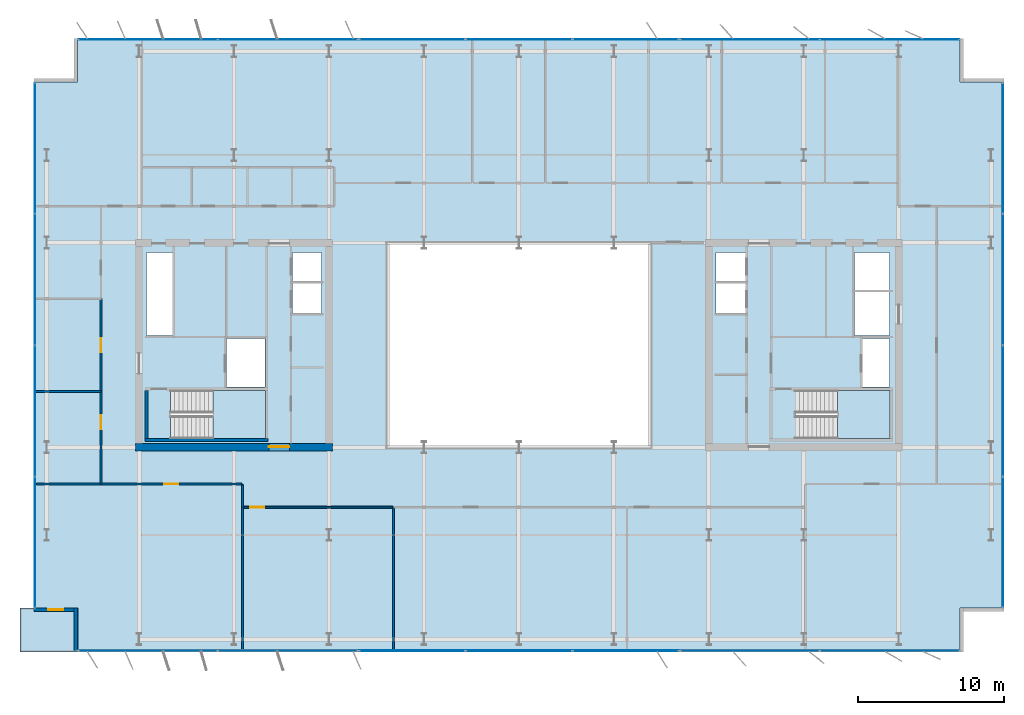
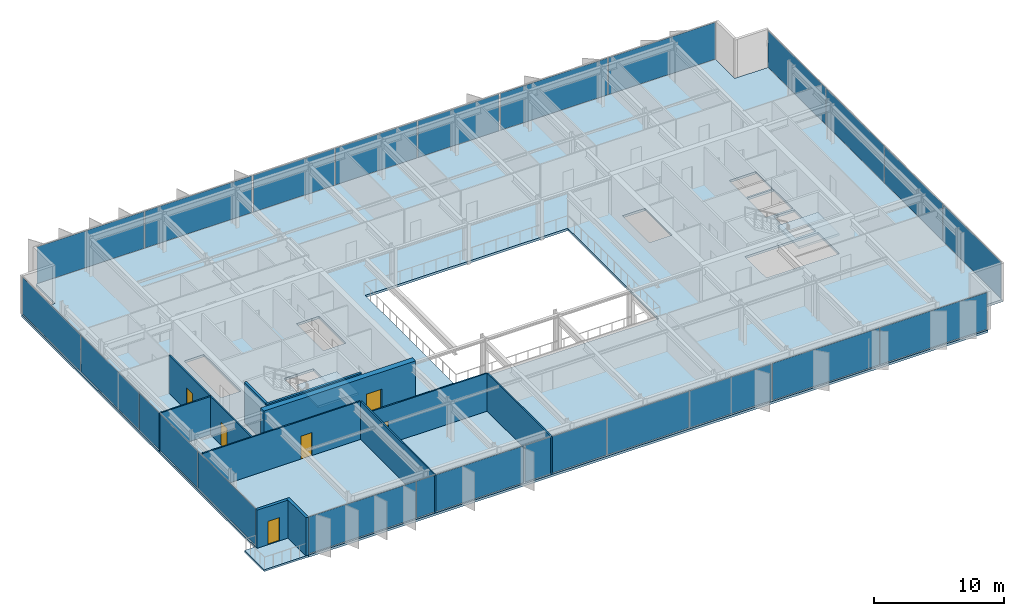
# One storey, part 16 of 23: 22 plates, 12 walls, 6 doors, 4 slabs, 6 openings, 10 elements without a shape of their own.
"""IFC4 building model written with IfcOpenShell, lengths in metres."""

from ifc_helpers import new_model, si_unit, direction, frame, frame_2d, origin, origin_2d, place, context, subcontext, project, spatial, polyline, rectangle, outline, extrude, material, layer, layer_set, type_object, element, fill, aggregate, save


model = new_model("IFC4")

# Units and contexts
model_context = context("Model", 3, precision=1e-05, world=origin(), true_north=direction((0.0, 1.0)))
body_context = subcontext(model_context, "Body", "Model", "MODEL_VIEW")
ifc_project = project(units=[si_unit("LENGTHUNIT", "METRE"), si_unit("AREAUNIT", "SQUARE_METRE"), si_unit("VOLUMEUNIT", "CUBIC_METRE"), si_unit("PLANEANGLEUNIT", "RADIAN"), si_unit("MASSUNIT", "GRAM", prefix="KILO")], contexts=[model_context])

# Site, building, storey
site_placement = place(None, origin())
site = spatial("IfcSite", under=ifc_project, at=site_placement, CompositionType="ELEMENT")
building_placement = place(site_placement, origin())
building = spatial("IfcBuilding", under=site, at=building_placement, Name="Putna Gate Headquarters", CompositionType="ELEMENT")
storey_placement = place(building_placement, frame((0.0, 0.0, 225.199951171875)))
storey = spatial("IfcBuildingStorey", under=building, at=storey_placement, Name="L56", CompositionType="ELEMENT", Elevation=225.199951171875)

# Stair, slab
ifc_material_1 = material(Name="Concrete C40/50", Category="concrete")
stair_type_1 = type_object("IfcStairType", Name="STAIR-ST1", PredefinedType="HALF_TURN_STAIR", material=ifc_material_1)
stair_1_placement = place(storey_placement, origin())
stair_1 = element("IfcStair", 1, at=stair_1_placement, inside=storey, type_object=stair_type_1, Name="L56 West Core Exit Stair ST1", PredefinedType="HALF_TURN_STAIR")
ifc_layer_1 = layer(ifc_material_1, 0.199951171875)
ifc_layer_set_1 = layer_set([ifc_layer_1], Name="Concrete C40/50")
slab_type_1 = type_object("IfcSlabType", Name="LANDING-ST1", PredefinedType="LANDING", material=ifc_layer_set_1)
slab_1_placement = place(storey_placement, frame((0.0, 0.0, 1.699951171875)))
slab_1 = element("IfcSlab", 2, at=slab_1_placement, type_object=slab_type_1, Name="ST1 landing 1", PredefinedType="LANDING", context=body_context, shape_type="SweptSolid", body=[
    extrude(outline(polyline([(18.050048828125, 19.60009765625), (21.64990234375, 19.60009765625), (21.64990234375, 22.89990234375), (18.050048828125, 22.89990234375), (18.050048828125, 19.60009765625)])), origin(), (0.0, 0.0, 1.0), 0.2001953125),
])
aggregate(stair_1, [slab_1])

stair_type_2 = type_object("IfcStairType", Name="STAIR-ST2", PredefinedType="HALF_TURN_STAIR", material=ifc_material_1)
stair_2_placement = place(storey_placement, origin())
stair_2 = element("IfcStair", 3, at=stair_2_placement, inside=storey, type_object=stair_type_2, Name="L56 East Core Exit Stair ST2", PredefinedType="HALF_TURN_STAIR")
ifc_layer_2 = layer(ifc_material_1, 0.199951171875)
ifc_layer_set_2 = layer_set([ifc_layer_2], Name="Concrete C40/50")
slab_type_2 = type_object("IfcSlabType", Name="LANDING-ST2", PredefinedType="LANDING", material=ifc_layer_set_2)
slab_2_placement = place(storey_placement, frame((0.0, 0.0, 1.699951171875)))
slab_2 = element("IfcSlab", 4, at=slab_2_placement, type_object=slab_type_2, Name="ST2 landing 1", PredefinedType="LANDING", context=body_context, shape_type="SweptSolid", body=[
    extrude(outline(polyline([(60.800048828125, 19.60009765625), (64.39990234375, 19.60009765625), (64.39990234375, 22.89990234375), (60.800048828125, 22.89990234375), (60.800048828125, 19.60009765625)])), origin(), (0.0, 0.0, 1.0), 0.2001953125),
])
aggregate(stair_2, [slab_2])

# Curtain wall, plates
ifc_material_2 = material(Name="Anodised bronze aluminium curtain wall", Category="aluminium")
ifc_layer_3 = layer(ifc_material_2, 0.139892578125)
ifc_layer_set_3 = layer_set([ifc_layer_3], Name="Anodised bronze aluminium curtain wall")
curtain_wall_type_1 = type_object("IfcCurtainWallType", Name="CW-SYS-Z4", PredefinedType="USERDEFINED", material=ifc_layer_set_3)
curtain_wall_1_placement = place(storey_placement, origin())
curtain_wall_1 = element("IfcCurtainWall", 5, at=curtain_wall_1_placement, inside=storey, type_object=curtain_wall_type_1, Name="L56 South West Curtain Wall", ObjectType="STICK CURTAIN WALL", PredefinedType="USERDEFINED")
ifc_material_3 = material(Name="Solar-control triple low-E glass", Category="glass")
ifc_layer_4 = layer(ifc_material_3, 0.02587890625)
ifc_layer_set_4 = layer_set([ifc_layer_4], Name="Solar-control triple low-E glass")
plate_type_1 = type_object("IfcPlateType", Name="PAN-CWP-4", PredefinedType="CURTAIN_PANEL", material=ifc_layer_set_4)
plate_1_placement = place(storey_placement, frame((13.614990234375, 5.080078125, 0.06005859375), z_axis=(0.0, 0.0, 1.0), x_axis=(1.0, 0.0, 0.0)))
plate_1 = element("IfcPlate", 6, at=plate_1_placement, type_object=plate_type_1, Name="CWS-4 panel 1.1", PredefinedType="CURTAIN_PANEL", context=body_context, shape_type="SweptSolid", body=[
    extrude(rectangle(XDim=9.510009765625, YDim=0.02587890625, at=origin_2d()), origin(), (0.0, 0.0, 1.0), 3.4599609375),
])
plate_2_placement = place(storey_placement, frame((23.18505859375, 5.080078125, 0.06005859375), z_axis=(0.0, 0.0, 1.0), x_axis=(1.0, 0.0, 0.0)))
plate_2 = element("IfcPlate", 7, at=plate_2_placement, type_object=plate_type_1, Name="CWS-4 panel 2.1", PredefinedType="CURTAIN_PANEL", context=body_context, shape_type="SweptSolid", body=[
    extrude(rectangle(XDim=9.510009765625, YDim=0.02587890625, at=origin_2d()), origin(), (0.0, 0.0, 1.0), 3.4599609375),
])
aggregate(curtain_wall_1, [plate_1, plate_2])

curtain_wall_2_placement = place(storey_placement, origin())
curtain_wall_2 = element("IfcCurtainWall", 8, at=curtain_wall_2_placement, inside=storey, type_object=curtain_wall_type_1, Name="L56 South East Curtain Wall", ObjectType="STICK CURTAIN WALL", PredefinedType="USERDEFINED")
plate_3_placement = place(storey_placement, frame((54.81494140625, 5.080078125, 0.06005859375), z_axis=(0.0, 0.0, 1.0), x_axis=(1.0, 0.0, 0.0)))
plate_3 = element("IfcPlate", 9, at=plate_3_placement, type_object=plate_type_1, Name="CWS-4 panel 1.1", PredefinedType="CURTAIN_PANEL", context=body_context, shape_type="SweptSolid", body=[
    extrude(rectangle(XDim=9.510009765625, YDim=0.02587890625, at=origin_2d()), origin(), (0.0, 0.0, 1.0), 3.4599609375),
])
plate_4_placement = place(storey_placement, frame((64.385009765625, 5.080078125, 0.06005859375), z_axis=(0.0, 0.0, 1.0), x_axis=(1.0, 0.0, 0.0)))
plate_4 = element("IfcPlate", 10, at=plate_4_placement, type_object=plate_type_1, Name="CWS-4 panel 2.1", PredefinedType="CURTAIN_PANEL", context=body_context, shape_type="SweptSolid", body=[
    extrude(rectangle(XDim=9.510009765625, YDim=0.02587890625, at=origin_2d()), origin(), (0.0, 0.0, 1.0), 3.4599609375),
])
aggregate(curtain_wall_2, [plate_3, plate_4])

curtain_wall_3_placement = place(storey_placement, origin())
curtain_wall_3 = element("IfcCurtainWall", 11, at=curtain_wall_3_placement, inside=storey, type_object=curtain_wall_type_1, Name="L56 North West Curtain Wall", ObjectType="STICK CURTAIN WALL", PredefinedType="USERDEFINED")
plate_5_placement = place(storey_placement, frame((13.614990234375, 46.919921875, 0.06005859375), z_axis=(0.0, 0.0, 1.0), x_axis=(1.0, 0.0, 0.0)))
plate_5 = element("IfcPlate", 12, at=plate_5_placement, type_object=plate_type_1, Name="CWS-4 panel 1.1", PredefinedType="CURTAIN_PANEL", context=body_context, shape_type="SweptSolid", body=[
    extrude(rectangle(XDim=9.510009765625, YDim=0.02587890625, at=origin_2d()), origin(), (0.0, 0.0, 1.0), 3.4599609375),
])
plate_6_placement = place(storey_placement, frame((23.18505859375, 46.919921875, 0.06005859375), z_axis=(0.0, 0.0, 1.0), x_axis=(1.0, 0.0, 0.0)))
plate_6 = element("IfcPlate", 13, at=plate_6_placement, type_object=plate_type_1, Name="CWS-4 panel 2.1", PredefinedType="CURTAIN_PANEL", context=body_context, shape_type="SweptSolid", body=[
    extrude(rectangle(XDim=9.510009765625, YDim=0.02587890625, at=origin_2d()), origin(), (0.0, 0.0, 1.0), 3.4599609375),
])
aggregate(curtain_wall_3, [plate_5, plate_6])

curtain_wall_4_placement = place(storey_placement, origin())
curtain_wall_4 = element("IfcCurtainWall", 14, at=curtain_wall_4_placement, inside=storey, type_object=curtain_wall_type_1, Name="L56 North East Curtain Wall", ObjectType="STICK CURTAIN WALL", PredefinedType="USERDEFINED")
plate_7_placement = place(storey_placement, frame((54.81494140625, 46.919921875, 0.06005859375), z_axis=(0.0, 0.0, 1.0), x_axis=(1.0, 0.0, 0.0)))
plate_7 = element("IfcPlate", 15, at=plate_7_placement, type_object=plate_type_1, Name="CWS-4 panel 1.1", PredefinedType="CURTAIN_PANEL", context=body_context, shape_type="SweptSolid", body=[
    extrude(rectangle(XDim=9.510009765625, YDim=0.02587890625, at=origin_2d()), origin(), (0.0, 0.0, 1.0), 3.4599609375),
])
plate_8_placement = place(storey_placement, frame((64.385009765625, 46.919921875, 0.06005859375), z_axis=(0.0, 0.0, 1.0), x_axis=(1.0, 0.0, 0.0)))
plate_8 = element("IfcPlate", 16, at=plate_8_placement, type_object=plate_type_1, Name="CWS-4 panel 2.1", PredefinedType="CURTAIN_PANEL", context=body_context, shape_type="SweptSolid", body=[
    extrude(rectangle(XDim=9.510009765625, YDim=0.02587890625, at=origin_2d()), origin(), (0.0, 0.0, 1.0), 3.4599609375),
])
aggregate(curtain_wall_4, [plate_7, plate_8])

curtain_wall_5_placement = place(storey_placement, origin())
curtain_wall_5 = element("IfcCurtainWall", 17, at=curtain_wall_5_placement, inside=storey, type_object=curtain_wall_type_1, Name="L56 West Curtain Wall", ObjectType="STICK CURTAIN WALL", PredefinedType="USERDEFINED")
plate_9_placement = place(storey_placement, frame((5.8798828125, 12.514892578125, 0.06005859375), z_axis=(0.0, 0.0, 1.0), x_axis=(0.0, 1.0, 0.0)))
plate_9 = element("IfcPlate", 18, at=plate_9_placement, type_object=plate_type_1, Name="CWS-4 panel 1.1", PredefinedType="CURTAIN_PANEL", context=body_context, shape_type="SweptSolid", body=[
    extrude(rectangle(XDim=8.909912109375, YDim=0.02587890625, at=origin_2d()), origin(), (0.0, 0.0, 1.0), 3.4599609375),
])
plate_10_placement = place(storey_placement, frame((5.8798828125, 21.5, 0.06005859375), z_axis=(0.0, 0.0, 1.0), x_axis=(0.0, 1.0, 0.0)))
plate_10 = element("IfcPlate", 19, at=plate_10_placement, type_object=plate_type_1, Name="CWS-4 panel 2.1", PredefinedType="CURTAIN_PANEL", context=body_context, shape_type="SweptSolid", body=[
    extrude(rectangle(XDim=8.93994140625, YDim=0.02587890625, at=origin_2d()), origin(), (0.0, 0.0, 1.0), 3.4599609375),
])
plate_11_placement = place(storey_placement, frame((5.8798828125, 30.5, 0.06005859375), z_axis=(0.0, 0.0, 1.0), x_axis=(0.0, 1.0, 0.0)))
plate_11 = element("IfcPlate", 20, at=plate_11_placement, type_object=plate_type_1, Name="CWS-4 panel 3.1", PredefinedType="CURTAIN_PANEL", context=body_context, shape_type="SweptSolid", body=[
    extrude(rectangle(XDim=8.93994140625, YDim=0.02587890625, at=origin_2d()), origin(), (0.0, 0.0, 1.0), 3.4599609375),
])
plate_12_placement = place(storey_placement, frame((5.8798828125, 39.485107421875, 0.06005859375), z_axis=(0.0, 0.0, 1.0), x_axis=(0.0, 1.0, 0.0)))
plate_12 = element("IfcPlate", 21, at=plate_12_placement, type_object=plate_type_1, Name="CWS-4 panel 4.1", PredefinedType="CURTAIN_PANEL", context=body_context, shape_type="SweptSolid", body=[
    extrude(rectangle(XDim=8.909912109375, YDim=0.02587890625, at=origin_2d()), origin(), (0.0, 0.0, 1.0), 3.4599609375),
])
aggregate(curtain_wall_5, [plate_9, plate_10, plate_11, plate_12])

curtain_wall_6_placement = place(storey_placement, origin())
curtain_wall_6 = element("IfcCurtainWall", 22, at=curtain_wall_6_placement, inside=storey, type_object=curtain_wall_type_1, Name="L56 East Curtain Wall", ObjectType="STICK CURTAIN WALL", PredefinedType="USERDEFINED")
plate_13_placement = place(storey_placement, frame((72.1201171875, 12.514892578125, 0.06005859375), z_axis=(0.0, 0.0, 1.0), x_axis=(0.0, 1.0, 0.0)))
plate_13 = element("IfcPlate", 23, at=plate_13_placement, type_object=plate_type_1, Name="CWS-4 panel 1.1", PredefinedType="CURTAIN_PANEL", context=body_context, shape_type="SweptSolid", body=[
    extrude(rectangle(XDim=8.909912109375, YDim=0.02587890625, at=origin_2d()), origin(), (0.0, 0.0, 1.0), 3.4599609375),
])
plate_14_placement = place(storey_placement, frame((72.1201171875, 21.5, 0.06005859375), z_axis=(0.0, 0.0, 1.0), x_axis=(0.0, 1.0, 0.0)))
plate_14 = element("IfcPlate", 24, at=plate_14_placement, type_object=plate_type_1, Name="CWS-4 panel 2.1", PredefinedType="CURTAIN_PANEL", context=body_context, shape_type="SweptSolid", body=[
    extrude(rectangle(XDim=8.93994140625, YDim=0.02587890625, at=origin_2d()), origin(), (0.0, 0.0, 1.0), 3.4599609375),
])
plate_15_placement = place(storey_placement, frame((72.1201171875, 30.5, 0.06005859375), z_axis=(0.0, 0.0, 1.0), x_axis=(0.0, 1.0, 0.0)))
plate_15 = element("IfcPlate", 25, at=plate_15_placement, type_object=plate_type_1, Name="CWS-4 panel 3.1", PredefinedType="CURTAIN_PANEL", context=body_context, shape_type="SweptSolid", body=[
    extrude(rectangle(XDim=8.93994140625, YDim=0.02587890625, at=origin_2d()), origin(), (0.0, 0.0, 1.0), 3.4599609375),
])
plate_16_placement = place(storey_placement, frame((72.1201171875, 39.485107421875, 0.06005859375), z_axis=(0.0, 0.0, 1.0), x_axis=(0.0, 1.0, 0.0)))
plate_16 = element("IfcPlate", 26, at=plate_16_placement, type_object=plate_type_1, Name="CWS-4 panel 4.1", PredefinedType="CURTAIN_PANEL", context=body_context, shape_type="SweptSolid", body=[
    extrude(rectangle(XDim=8.909912109375, YDim=0.02587890625, at=origin_2d()), origin(), (0.0, 0.0, 1.0), 3.4599609375),
])
aggregate(curtain_wall_6, [plate_13, plate_14, plate_15, plate_16])

ifc_layer_5 = layer(ifc_material_2, 0.179931640625)
ifc_layer_set_5 = layer_set([ifc_layer_5], Name="Anodised bronze aluminium curtain wall")
curtain_wall_type_2 = type_object("IfcCurtainWallType", Name="CW-SYS-ATR", PredefinedType="USERDEFINED", material=ifc_layer_set_5)
curtain_wall_7_placement = place(storey_placement, origin())
curtain_wall_7 = element("IfcCurtainWall", 27, at=curtain_wall_7_placement, inside=storey, type_object=curtain_wall_type_2, Name="L56 South Atrium Clear Glazing", ObjectType="ATRIUM GLAZING", PredefinedType="USERDEFINED")
ifc_material_4 = material(Name="Clear low-iron triple glazing", Category="glass")
ifc_layer_6 = layer(ifc_material_4, 0.0400390625)
ifc_layer_set_6 = layer_set([ifc_layer_6], Name="Clear low-iron triple glazing")
plate_type_2 = type_object("IfcPlateType", Name="PAN-CWP-AT", PredefinedType="CURTAIN_PANEL", material=ifc_layer_set_6)
plate_17_placement = place(storey_placement, frame((31.68408203125, 5.080078125, 0.070068359375), z_axis=(0.0, 0.0, 1.0), x_axis=(1.0, 0.0, 0.0)))
plate_17 = element("IfcPlate", 28, at=plate_17_placement, type_object=plate_type_2, Name="CWS-AT panel 1.1", PredefinedType="CURTAIN_PANEL", context=body_context, shape_type="SweptSolid", body=[
    extrude(rectangle(XDim=7.228271484375, YDim=0.0400390625, at=origin_2d()), origin(), (0.0, 0.0, 1.0), 3.43994140625),
])
plate_18_placement = place(storey_placement, frame((39.0, 5.080078125, 0.070068359375), z_axis=(0.0, 0.0, 1.0), x_axis=(1.0, 0.0, 0.0)))
plate_18 = element("IfcPlate", 29, at=plate_18_placement, type_object=plate_type_2, Name="CWS-AT panel 2.1", PredefinedType="CURTAIN_PANEL", context=body_context, shape_type="SweptSolid", body=[
    extrude(rectangle(XDim=7.263427734375, YDim=0.0400390625, at=origin_2d()), origin(), (0.0, 0.0, 1.0), 3.43994140625),
])
plate_19_placement = place(storey_placement, frame((46.31591796875, 5.080078125, 0.070068359375), z_axis=(0.0, 0.0, 1.0), x_axis=(1.0, 0.0, 0.0)))
plate_19 = element("IfcPlate", 30, at=plate_19_placement, type_object=plate_type_2, Name="CWS-AT panel 3.1", PredefinedType="CURTAIN_PANEL", context=body_context, shape_type="SweptSolid", body=[
    extrude(rectangle(XDim=7.228271484375, YDim=0.0400390625, at=origin_2d()), origin(), (0.0, 0.0, 1.0), 3.43994140625),
])
aggregate(curtain_wall_7, [plate_17, plate_18, plate_19])

curtain_wall_8_placement = place(storey_placement, origin())
curtain_wall_8 = element("IfcCurtainWall", 31, at=curtain_wall_8_placement, inside=storey, type_object=curtain_wall_type_2, Name="L56 North Atrium Clear Glazing", ObjectType="ATRIUM GLAZING", PredefinedType="USERDEFINED")
plate_20_placement = place(storey_placement, frame((31.68408203125, 46.919921875, 0.070068359375), z_axis=(0.0, 0.0, 1.0), x_axis=(1.0, 0.0, 0.0)))
plate_20 = element("IfcPlate", 32, at=plate_20_placement, type_object=plate_type_2, Name="CWS-AT panel 1.1", PredefinedType="CURTAIN_PANEL", context=body_context, shape_type="SweptSolid", body=[
    extrude(rectangle(XDim=7.228271484375, YDim=0.0400390625, at=origin_2d()), origin(), (0.0, 0.0, 1.0), 3.43994140625),
])
plate_21_placement = place(storey_placement, frame((39.0, 46.919921875, 0.070068359375), z_axis=(0.0, 0.0, 1.0), x_axis=(1.0, 0.0, 0.0)))
plate_21 = element("IfcPlate", 33, at=plate_21_placement, type_object=plate_type_2, Name="CWS-AT panel 2.1", PredefinedType="CURTAIN_PANEL", context=body_context, shape_type="SweptSolid", body=[
    extrude(rectangle(XDim=7.263427734375, YDim=0.0400390625, at=origin_2d()), origin(), (0.0, 0.0, 1.0), 3.43994140625),
])
plate_22_placement = place(storey_placement, frame((46.31591796875, 46.919921875, 0.070068359375), z_axis=(0.0, 0.0, 1.0), x_axis=(1.0, 0.0, 0.0)))
plate_22 = element("IfcPlate", 34, at=plate_22_placement, type_object=plate_type_2, Name="CWS-AT panel 3.1", PredefinedType="CURTAIN_PANEL", context=body_context, shape_type="SweptSolid", body=[
    extrude(rectangle(XDim=7.228271484375, YDim=0.0400390625, at=origin_2d()), origin(), (0.0, 0.0, 1.0), 3.43994140625),
])
aggregate(curtain_wall_8, [plate_20, plate_21, plate_22])

# Slabs
ifc_layer_7 = layer(ifc_material_1, 0.179931640625)
ifc_layer_set_7 = layer_set([ifc_layer_7], Name="Concrete C40/50")
slab_type_3 = type_object("IfcSlabType", Name="SLAB-TERRACE-180", PredefinedType="FLOOR", material=ifc_layer_set_7)
slab_3_placement = place(storey_placement, frame((0.0, 0.0, -0.179931640625)))
element("IfcSlab", 35, at=slab_3_placement, inside=storey, type_object=slab_type_3, Name="L56 Spiral Sky-Garden Terrace Slab (SW)", PredefinedType="FLOOR", context=body_context, shape_type="SweptSolid", body=[
    extrude(outline(polyline([(4.85009765625, 5.0), (8.80810546875, 5.0), (8.80810546875, 8.008056640625), (4.85009765625, 8.008056640625), (4.85009765625, 5.0)])), origin(), (0.0, 0.0, 1.0), 0.179931640625),
])
ifc_layer_8 = layer(ifc_material_1, 0.219970703125)
ifc_layer_set_8 = layer_set([ifc_layer_8], Name="Concrete C40/50")
slab_type_4 = type_object("IfcSlabType", Name="SLAB-Z4-220", PredefinedType="FLOOR", material=ifc_layer_set_8)
slab_4_placement = place(storey_placement, frame((0.0, 0.0, -0.219970703125)))
element("IfcSlab", 36, at=slab_4_placement, inside=storey, type_object=slab_type_4, Name="L56 Composite Floor Slab", PredefinedType="FLOOR", context=body_context, shape_type="SweptSolid", body=[
    extrude(outline(polyline([(8.800048828125, 5.0), (69.199951171875, 5.0), (69.199951171875, 8.0), (72.199951171875, 8.0), (72.199951171875, 44.0), (69.199951171875, 44.0), (69.199951171875, 47.0), (8.800048828125, 47.0), (8.800048828125, 44.0), (5.800048828125, 44.0), (5.800048828125, 8.0), (8.800048828125, 8.0), (8.800048828125, 5.0)]), holes=[polyline([(15.1650390625, 19.60009765625), (21.64990234375, 19.60009765625), (21.64990234375, 22.89990234375), (15.1650390625, 22.89990234375), (15.1650390625, 19.60009765625)]), polyline([(57.9150390625, 19.60009765625), (64.39990234375, 19.60009765625), (64.39990234375, 22.89990234375), (57.9150390625, 22.89990234375), (57.9150390625, 19.60009765625)]), polyline([(13.52001953125, 26.659912109375), (15.280029296875, 26.659912109375), (15.280029296875, 32.35009765625), (13.52001953125, 32.35009765625), (13.52001953125, 26.659912109375)]), polyline([(61.969970703125, 29.780029296875), (64.35009765625, 29.780029296875), (64.35009765625, 32.35009765625), (61.969970703125, 32.35009765625), (61.969970703125, 29.780029296875)]), polyline([(18.97998046875, 23.1201171875), (21.6201171875, 23.1201171875), (21.6201171875, 26.4599609375), (18.97998046875, 26.4599609375), (18.97998046875, 23.1201171875)]), polyline([(62.52001953125, 23.1201171875), (64.35009765625, 23.1201171875), (64.35009765625, 26.4599609375), (62.52001953125, 26.4599609375), (62.52001953125, 23.1201171875)]), polyline([(61.969970703125, 26.659912109375), (64.35009765625, 26.659912109375), (64.35009765625, 29.6201171875), (61.969970703125, 29.6201171875), (61.969970703125, 26.659912109375)]), polyline([(23.5, 28.199951171875), (25.5, 28.199951171875), (25.5, 32.35009765625), (23.5, 32.35009765625), (23.5, 28.199951171875)]), polyline([(52.47998046875, 28.199951171875), (54.5, 28.199951171875), (54.5, 32.35009765625), (52.47998046875, 32.35009765625), (52.47998046875, 28.199951171875)]), polyline([(30.0, 19.0), (48.0, 19.0), (48.0, 33.0), (30.0, 33.0), (30.0, 19.0)])]), origin(), (0.0, 0.0, 1.0), 0.219970703125),
])

# Wall, opening, door
ifc_material_5 = material(Name="Concrete C50/60", Category="concrete")
ifc_layer_9 = layer(ifc_material_5, 0.5)
ifc_layer_set_9 = layer_set([ifc_layer_9], Name="Concrete C50/60")
wall_type_1 = type_object("IfcWallType", Name="WALL-CORE-500", PredefinedType="SHEAR", material=ifc_layer_set_9)
wall_1_placement = place(storey_placement, frame((12.75, 19.0, 0.0), z_axis=(0.0, 0.0, 1.0), x_axis=(1.0, 0.0, 0.0)))
wall_1 = element("IfcWall", 37, at=wall_1_placement, inside=storey, type_object=wall_type_1, Name="L56 WC Split Core Shear Wall S", PredefinedType="SHEAR", context=body_context, shape_type="SweptSolid", body=[
    extrude(rectangle(XDim=13.5, YDim=0.5, at=frame_2d((6.75, 0.0))), origin(), (0.0, 0.0, 1.0), 3.800048828125),
])
opening_1_placement = place(wall_1_placement, frame((9.1298828125, 0.0, 0.0)))
opening_1 = element("IfcOpeningElement", 38, at=opening_1_placement, cuts=wall_1, Name="Opening FDD-140", PredefinedType="OPENING", context=body_context, shape_type="SweptSolid", body=[
    extrude(rectangle(XDim=1.39990234375, YDim=2.199951171875, at=frame_2d((0.699951171875, 1.10009765625))), frame((0.0, 0.260009765625, 0.0), z_axis=(0.0, -1.0, 0.0), x_axis=(1.0, 0.0, 0.0)), (0.0, 0.0, 1.0), 0.52001953125),
])
ifc_material_6 = material(Name="Double steel fire door", Category="steel")
door_type_1 = type_object("IfcDoorType", Name="DOOR-FIRE-DBL-1400", OperationType="DOUBLE_DOOR_SINGLE_SWING", PredefinedType="DOOR", material=ifc_material_6)
door_1_placement = place(opening_1_placement, origin())
door_1 = element("IfcDoor", 39, at=door_1_placement, inside=storey, type_object=door_type_1, Name="L56 West Lift Lobby South Door", OperationType="DOUBLE_DOOR_SINGLE_SWING", OverallHeight=2.199951171875, OverallWidth=1.39990234375, PredefinedType="DOOR", context=body_context, shape_type="SweptSolid", body=[
    extrude(rectangle(XDim=1.39990234375, YDim=2.199951171875, at=frame_2d((0.699951171875, 1.10009765625))), frame((0.0, 0.0751953125, 0.0), z_axis=(0.0, -1.0, 0.0), x_axis=(1.0, 0.0, 0.0)), (0.0, 0.0, 1.0), 0.050048828125),
])
fill(opening_1, door_1)

# Wall
ifc_material_7 = material(Name="Precast concrete C40/50", Category="concrete")
ifc_layer_10 = layer(ifc_material_7, 0.239990234375)
ifc_layer_set_10 = layer_set([ifc_layer_10], Name="Precast concrete C40/50")
wall_type_2 = type_object("IfcWallType", Name="WALL-EXT-TERR-240", PredefinedType="STANDARD", material=ifc_layer_set_10)
wall_2_placement = place(storey_placement, frame((8.679931640625, 5.0, 0.0), z_axis=(0.0, 0.0, 1.0), x_axis=(0.0, 1.0, 0.0)))
element("IfcWall", 40, at=wall_2_placement, inside=storey, type_object=wall_type_2, Name="L56 Corner Notch Return Wall SW-V", PredefinedType="STANDARD", context=body_context, shape_type="SweptSolid", body=[
    extrude(rectangle(XDim=3.0, YDim=0.239990234375, at=frame_2d((1.5, 0.0))), origin(), (0.0, 0.0, 1.0), 3.580078125),
])

# Wall, opening, door
wall_3_placement = place(storey_placement, frame((8.800048828125, 7.8798828125, 0.0), z_axis=(0.0, 0.0, 1.0), x_axis=(-1.0, 0.0, 0.0)))
wall_3 = element("IfcWall", 41, at=wall_3_placement, inside=storey, type_object=wall_type_2, Name="L56 Corner Notch Return Wall SW-H", PredefinedType="STANDARD", context=body_context, shape_type="SweptSolid", body=[
    extrude(rectangle(XDim=3.0, YDim=0.239990234375, at=frame_2d((1.5, 0.0))), origin(), (0.0, 0.0, 1.0), 3.580078125),
])
opening_2_placement = place(wall_3_placement, frame((1.0, 0.0, 0.0)))
opening_2 = element("IfcOpeningElement", 42, at=opening_2_placement, cuts=wall_3, Name="Opening TRD-1", PredefinedType="OPENING", context=body_context, shape_type="SweptSolid", body=[
    extrude(rectangle(XDim=1.0, YDim=2.199951171875, at=frame_2d((0.5, 1.10009765625))), frame((0.0, 0.1298828125, 0.0), z_axis=(0.0, -1.0, 0.0), x_axis=(1.0, 0.0, 0.0)), (0.0, 0.0, 1.0), 0.260009765625),
])
ifc_material_8 = material(Name="Thermally broken bronze glazed terrace door")
door_type_2 = type_object("IfcDoorType", Name="DOOR-TERR-EXT-1000", OperationType="NOTDEFINED", PredefinedType="DOOR", material=ifc_material_8)
door_2_placement = place(opening_2_placement, origin())
door_2 = element("IfcDoor", 43, at=door_2_placement, inside=storey, type_object=door_type_2, Name="L56 Spiral Sky Terrace Door SW", OperationType="SINGLE_SWING_LEFT", OverallHeight=2.199951171875, OverallWidth=1.0, PredefinedType="DOOR", context=body_context, shape_type="SweptSolid", body=[
    extrude(rectangle(XDim=1.0, YDim=2.199951171875, at=frame_2d((0.5, 1.10009765625))), frame((0.0, 0.02490234375, 0.0), z_axis=(0.0, -1.0, 0.0), x_axis=(1.0, 0.0, 0.0)), (0.0, 0.0, 1.0), 0.050048828125),
])
fill(opening_2, door_2)

# Walls
ifc_material_9 = material(Name="Acoustic gypsum board on metal stud")
ifc_layer_11 = layer(ifc_material_9, 0.1201171875)
ifc_layer_set_11 = layer_set([ifc_layer_11], Name="Acoustic gypsum board on metal stud")
wall_type_3 = type_object("IfcWallType", Name="WALL-PART-120", PredefinedType="PARTITIONING", material=ifc_layer_set_11)
wall_4_placement = place(storey_placement, frame((20.07958984375, 5.02001953125, 0.0), z_axis=(0.0, 0.0, 1.0), x_axis=(0.0, 1.0, 0.0)))
element("IfcWall", 44, at=wall_4_placement, inside=storey, type_object=wall_type_3, Name="L56 Interior Wall PART-L56-SB-DIV-01", PredefinedType="PARTITIONING", context=body_context, shape_type="SweptSolid", body=[
    extrude(rectangle(XDim=11.419921875, YDim=0.1201171875, at=frame_2d((5.7099609375, 0.0))), origin(), (0.0, 0.0, 1.0), 3.580078125),
])
wall_5_placement = place(storey_placement, frame((30.408203125, 5.02001953125, 0.0), z_axis=(0.0, 0.0, 1.0), x_axis=(0.0, 1.0, 0.0)))
element("IfcWall", 45, at=wall_5_placement, inside=storey, type_object=wall_type_3, Name="L56 Interior Wall PART-L56-SB-DIV-02", PredefinedType="PARTITIONING", context=body_context, shape_type="SweptSolid", body=[
    extrude(rectangle(XDim=9.820068359375, YDim=0.1201171875, at=frame_2d((4.91015625, 0.0))), origin(), (0.0, 0.0, 1.0), 3.580078125),
])
wall_6_placement = place(storey_placement, frame((5.820068359375, 22.833251953125, 0.0), z_axis=(0.0, 0.0, 1.0), x_axis=(1.0, 0.0, 0.0)))
element("IfcWall", 46, at=wall_6_placement, inside=storey, type_object=wall_type_3, Name="L56 Interior Wall PART-L56-WW-DIV-1", PredefinedType="PARTITIONING", context=body_context, shape_type="SweptSolid", body=[
    extrude(rectangle(XDim=4.579833984375, YDim=0.1201171875, at=frame_2d((2.2900390625, 0.0))), origin(), (0.0, 0.0, 1.0), 3.580078125),
])

# Wall, opening, door
ifc_material_10 = material(Name="Fire-rated gypsum board on metal stud")
ifc_layer_12 = layer(ifc_material_10, 0.1201171875)
ifc_layer_set_12 = layer_set([ifc_layer_12], Name="Fire-rated gypsum board on metal stud")
wall_type_4 = type_object("IfcWallType", Name="WALL-PART-120-RATED", PredefinedType="PARTITIONING", material=ifc_layer_set_12)
wall_7_placement = place(storey_placement, frame((5.97998046875, 16.5, 0.0), z_axis=(0.0, 0.0, 1.0), x_axis=(1.0, 0.0, 0.0)))
wall_7 = element("IfcWall", 47, at=wall_7_placement, inside=storey, type_object=wall_type_4, Name="L56 Interior Wall PART-L56-SB-CW-01", PredefinedType="PARTITIONING", context=body_context, shape_type="SweptSolid", body=[
    extrude(rectangle(XDim=14.03955078125, YDim=0.1201171875, at=frame_2d((7.019775390625, 0.0))), origin(), (0.0, 0.0, 1.0), 3.580078125),
])
opening_3_placement = place(wall_7_placement, frame((8.7548828125, 0.0, 0.0)))
opening_3 = element("IfcOpeningElement", 48, at=opening_3_placement, cuts=wall_7, Name="Opening FD-95", PredefinedType="OPENING", context=body_context, shape_type="SweptSolid", body=[
    extrude(rectangle(XDim=0.949951171875, YDim=2.14990234375, at=frame_2d((0.47509765625, 1.074951171875))), frame((0.0, 0.070068359375, 0.0), z_axis=(0.0, -1.0, 0.0), x_axis=(1.0, 0.0, 0.0)), (0.0, 0.0, 1.0), 0.14013671875),
])
ifc_material_11 = material(Name="Acoustic timber fire door", Category="wood")
door_type_3 = type_object("IfcDoorType", Name="DOOR-FIRE-950", OperationType="NOTDEFINED", PredefinedType="DOOR", material=ifc_material_11)
door_3_placement = place(opening_3_placement, origin())
door_3 = element("IfcDoor", 49, at=door_3_placement, inside=storey, type_object=door_type_3, Name="L56 Conference Meeting Room 1 Door", OperationType="SINGLE_SWING_RIGHT", OverallHeight=2.14990234375, OverallWidth=0.949951171875, PredefinedType="DOOR", context=body_context, shape_type="SweptSolid", body=[
    extrude(rectangle(XDim=0.949951171875, YDim=2.14990234375, at=frame_2d((0.47509765625, 1.074951171875))), frame((0.0, 0.02490234375, 0.0), z_axis=(0.0, -1.0, 0.0), x_axis=(1.0, 0.0, 0.0)), (0.0, 0.0, 1.0), 0.050048828125),
])
fill(opening_3, door_3)

wall_8_placement = place(storey_placement, frame((20.139404296875, 14.89990234375, 0.0), z_axis=(0.0, 0.0, 1.0), x_axis=(1.0, 0.0, 0.0)))
wall_8 = element("IfcWall", 50, at=wall_8_placement, inside=storey, type_object=wall_type_4, Name="L56 Interior Wall PART-L56-SB-CW-02", PredefinedType="PARTITIONING", context=body_context, shape_type="SweptSolid", body=[
    extrude(rectangle(XDim=10.208740234375, YDim=0.1201171875, at=frame_2d((5.1044921875, 0.0))), origin(), (0.0, 0.0, 1.0), 3.580078125),
])
opening_4_placement = place(wall_8_placement, frame((0.47998046875, 0.0, 0.0)))
opening_4 = element("IfcOpeningElement", 51, at=opening_4_placement, cuts=wall_8, Name="Opening FD-95", PredefinedType="OPENING", context=body_context, shape_type="SweptSolid", body=[
    extrude(rectangle(XDim=0.949951171875, YDim=2.14990234375, at=frame_2d((0.47509765625, 1.074951171875))), frame((0.0, 0.070068359375, 0.0), z_axis=(0.0, -1.0, 0.0), x_axis=(1.0, 0.0, 0.0)), (0.0, 0.0, 1.0), 0.14013671875),
])
door_4_placement = place(opening_4_placement, origin())
door_4 = element("IfcDoor", 52, at=door_4_placement, inside=storey, type_object=door_type_3, Name="L56 Cellular Office 1 Door", OperationType="SINGLE_SWING_LEFT", OverallHeight=2.14990234375, OverallWidth=0.949951171875, PredefinedType="DOOR", context=body_context, shape_type="SweptSolid", body=[
    extrude(rectangle(XDim=0.949951171875, YDim=2.14990234375, at=frame_2d((0.47509765625, 1.074951171875))), frame((0.0, 0.02490234375, 0.0), z_axis=(0.0, -1.0, 0.0), x_axis=(1.0, 0.0, 0.0)), (0.0, 0.0, 1.0), 0.050048828125),
])
fill(opening_4, door_4)

wall_9_placement = place(storey_placement, frame((10.39990234375, 16.5, 0.0), z_axis=(0.0, 0.0, 1.0), x_axis=(0.0, 1.0, 0.0)))
wall_9 = element("IfcWall", 53, at=wall_9_placement, inside=storey, type_object=wall_type_4, Name="L56 Interior Wall PART-L56-WW-CW-1", PredefinedType="PARTITIONING", context=body_context, shape_type="SweptSolid", body=[
    extrude(rectangle(XDim=6.333251953125, YDim=0.1201171875, at=frame_2d((3.16650390625, 0.0))), origin(), (0.0, 0.0, 1.0), 3.580078125),
])
opening_5_placement = place(wall_9_placement, frame((3.74169921875, 0.0, 0.0)))
opening_5 = element("IfcOpeningElement", 54, at=opening_5_placement, cuts=wall_9, Name="Opening FD-95", PredefinedType="OPENING", context=body_context, shape_type="SweptSolid", body=[
    extrude(rectangle(XDim=0.949951171875, YDim=2.14990234375, at=frame_2d((0.47509765625, 1.074951171875))), frame((0.0, 0.070068359375, 0.0), z_axis=(0.0, -1.0, 0.0), x_axis=(1.0, 0.0, 0.0)), (0.0, 0.0, 1.0), 0.14013671875),
])
door_5_placement = place(opening_5_placement, origin())
door_5 = element("IfcDoor", 55, at=door_5_placement, inside=storey, type_object=door_type_3, Name="L56 West Executive Office 1 Door", OperationType="SINGLE_SWING_LEFT", OverallHeight=2.14990234375, OverallWidth=0.949951171875, PredefinedType="DOOR", context=body_context, shape_type="SweptSolid", body=[
    extrude(rectangle(XDim=0.949951171875, YDim=2.14990234375, at=frame_2d((0.47509765625, 1.074951171875))), frame((0.0, 0.02490234375, 0.0), z_axis=(0.0, -1.0, 0.0), x_axis=(1.0, 0.0, 0.0)), (0.0, 0.0, 1.0), 0.050048828125),
])
fill(opening_5, door_5)

wall_10_placement = place(storey_placement, frame((10.39990234375, 22.833251953125, 0.0), z_axis=(0.0, 0.0, 1.0), x_axis=(0.0, 1.0, 0.0)))
wall_10 = element("IfcWall", 56, at=wall_10_placement, inside=storey, type_object=wall_type_4, Name="L56 Interior Wall PART-L56-WW-CW-2", PredefinedType="PARTITIONING", context=body_context, shape_type="SweptSolid", body=[
    extrude(rectangle(XDim=6.33349609375, YDim=0.1201171875, at=frame_2d((3.166748046875, 0.0))), origin(), (0.0, 0.0, 1.0), 3.580078125),
])
opening_6_placement = place(wall_10_placement, frame((2.691650390625, 0.0, 0.0)))
opening_6 = element("IfcOpeningElement", 57, at=opening_6_placement, cuts=wall_10, Name="Opening FD-95", PredefinedType="OPENING", context=body_context, shape_type="SweptSolid", body=[
    extrude(rectangle(XDim=0.949951171875, YDim=2.14990234375, at=frame_2d((0.47509765625, 1.074951171875))), frame((0.0, 0.070068359375, 0.0), z_axis=(0.0, -1.0, 0.0), x_axis=(1.0, 0.0, 0.0)), (0.0, 0.0, 1.0), 0.14013671875),
])
door_6_placement = place(opening_6_placement, origin())
door_6 = element("IfcDoor", 58, at=door_6_placement, inside=storey, type_object=door_type_3, Name="L56 West Executive Office 2 Door", OperationType="SINGLE_SWING_RIGHT", OverallHeight=2.14990234375, OverallWidth=0.949951171875, PredefinedType="DOOR", context=body_context, shape_type="SweptSolid", body=[
    extrude(rectangle(XDim=0.949951171875, YDim=2.14990234375, at=frame_2d((0.47509765625, 1.074951171875))), frame((0.0, 0.02490234375, 0.0), z_axis=(0.0, -1.0, 0.0), x_axis=(1.0, 0.0, 0.0)), (0.0, 0.0, 1.0), 0.050048828125),
])
fill(opening_6, door_6)

# Walls
ifc_layer_13 = layer(ifc_material_1, 0.199951171875)
ifc_layer_set_13 = layer_set([ifc_layer_13], Name="Concrete C40/50")
wall_type_5 = type_object("IfcWallType", Name="WALL-SHAFT-RC200", PredefinedType="SHEAR", material=ifc_layer_set_13)
wall_11_placement = place(storey_placement, frame((13.409912109375, 19.510009765625, 0.0), z_axis=(0.0, 0.0, 1.0), x_axis=(1.0, 0.0, 0.0)))
element("IfcWall", 59, at=wall_11_placement, inside=storey, type_object=wall_type_5, Name="L56 Stair ST1 Structural Shaft Wall S", PredefinedType="SHEAR", context=body_context, shape_type="SweptSolid", body=[
    extrude(rectangle(XDim=8.43017578125, YDim=0.199951171875, at=frame_2d((4.215087890625, 0.0))), origin(), (0.0, 0.0, 1.0), 3.800048828125),
])
wall_12_placement = place(storey_placement, frame((13.510009765625, 19.610107421875, 0.0), z_axis=(0.0, 0.0, 1.0), x_axis=(0.0, 1.0, 0.0)))
element("IfcWall", 60, at=wall_12_placement, inside=storey, type_object=wall_type_5, Name="L56 Stair ST1 Structural Shaft Wall W", PredefinedType="SHEAR", context=body_context, shape_type="SweptSolid", body=[
    extrude(rectangle(XDim=3.27978515625, YDim=0.199951171875, at=frame_2d((1.639892578125, 0.0))), origin(), (0.0, 0.0, 1.0), 3.800048828125),
])

save(model, "model.ifc")
